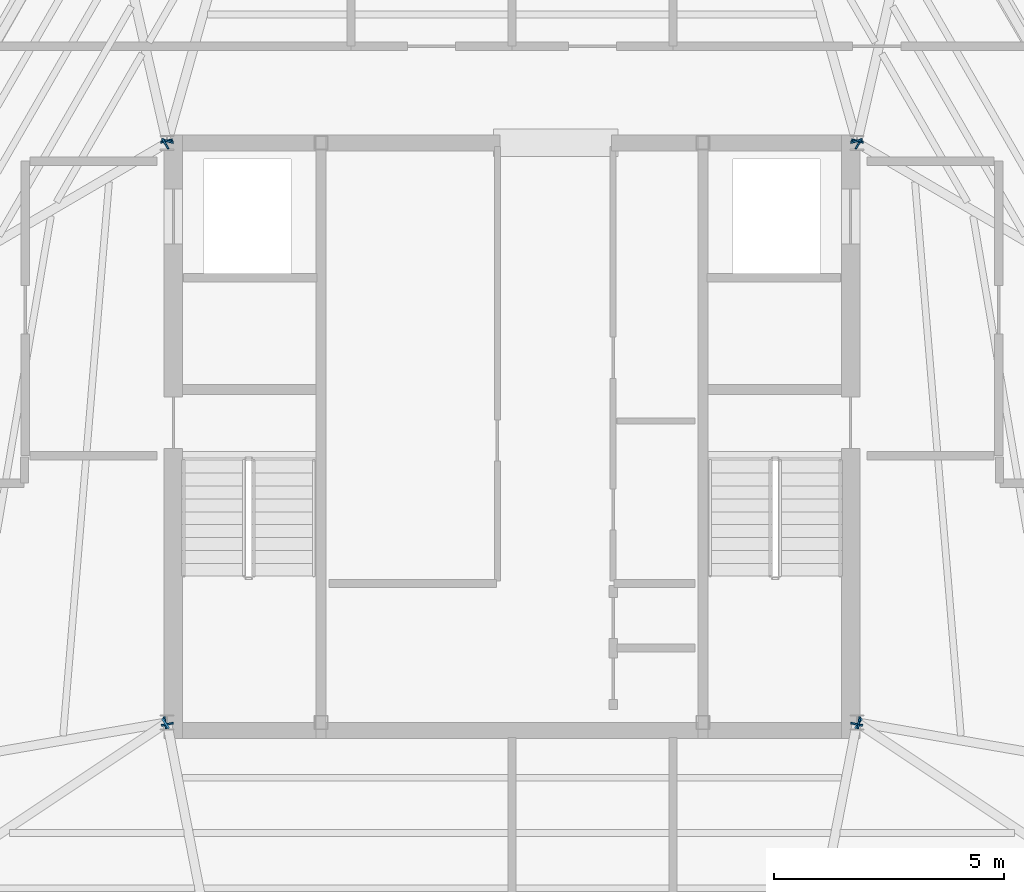
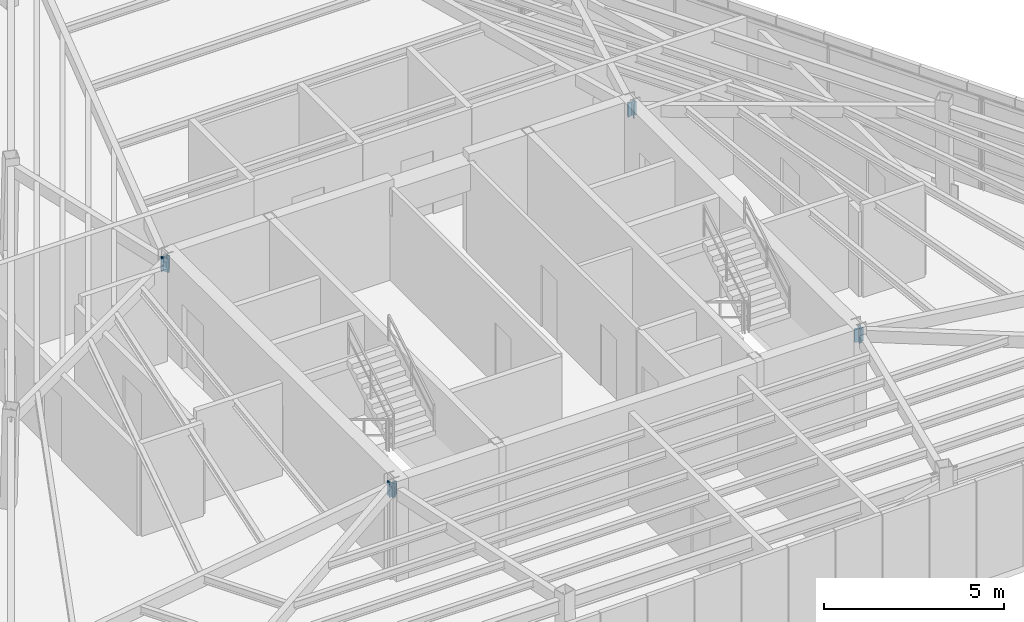
# One storey, part 39 of 44: 12 plates.
"""IFC4 building model written with IfcOpenShell, lengths in metres."""

from ifc_helpers import new_model, si_unit, direction, frame, origin, origin_2d, place, context, subcontext, project, spatial, rectangle, extrude, source, transform, mapped, material, layer, layer_set, type_object, type_shapes, element, save


model = new_model("IFC4")

# Units and contexts
model_context = context("Model", 3, precision=1e-05, world=origin(), true_north=direction((0.0, 1.0)))
body_context = subcontext(model_context, "Body", "Model", "MODEL_VIEW")
ifc_project = project(units=[si_unit("LENGTHUNIT", "METRE"), si_unit("AREAUNIT", "SQUARE_METRE"), si_unit("VOLUMEUNIT", "CUBIC_METRE"), si_unit("PLANEANGLEUNIT", "RADIAN"), si_unit("MASSUNIT", "GRAM", prefix="KILO")], contexts=[model_context])

# Site, building, storey
site_placement = place(None, origin())
site = spatial("IfcSite", under=ifc_project, at=site_placement, CompositionType="ELEMENT")
building_placement = place(site_placement, origin())
building = spatial("IfcBuilding", under=site, at=building_placement, Name="Caelisora Broadcast Tower", CompositionType="ELEMENT")
storey_placement = place(building_placement, frame((0.0, 0.0, 296.60009765625)))
storey = spatial("IfcBuildingStorey", under=building, at=storey_placement, Name="L78", CompositionType="ELEMENT", Elevation=296.60009765625)

# Plates
ifc_material = material(Name="Steel Grade 350 L15 (AS/NZS 3678)", Category="steel")
ifc_layer = layer(ifc_material, 0.0400390625, Name="Steel Grade 350 L15 (AS/NZS 3678)")
ifc_layer_set = layer_set([ifc_layer], Name="Steel Grade 350 L15 (AS/NZS 3678)")
plate_type = type_object("IfcPlateType", Name="GP04", PredefinedType="USERDEFINED", material=ifc_layer_set)
shared_shape = source(origin(), body_context, "Body", "SweptSolid", [
    extrude(rectangle(XDim=0.260009765625, YDim=0.0400390625, at=origin_2d()), origin(), (0.0, 0.0, 1.0), 0.4599609375),
])
type_shapes(plate_type, [shared_shape])
for number, where, z_axis, x_axis, name in (
    (1, (45.4892578125, 30.03857421875, 2.719970703125), (0.0, 0.0, 1.0), (-0.962880426559, -0.26992829446, 0.0), "L78 gusset plate GP04 (ND-RAD-L78-01)"),
    (2, (30.5107421875, 30.03857421875, 2.719970703125), (0.0, 0.0, 1.0), (-0.962880426559, 0.26992829446, 0.0), "L78 gusset plate GP04 (ND-RAD-L78-02)"),
    (3, (30.4912109375, 30.0390625, 2.719970703125), (0.0, 0.0, 1.0), (-0.975149354306, -0.221548497619, 0.0), "L78 gusset plate GP04 (ND-RAD-L78-03)"),
    (4, (30.465576171875, 29.979736328125, 2.719970703125), (0.0, 0.0, 1.0), (0.504075481823, -0.863659602288, 0.0), "L78 gusset plate GP04 (ND-RAD-L78-04)"),
    (5, (30.460693359375, 17.393310546875, 2.719970703125), (0.0, 0.0, 1.0), (0.170037510451, -0.985437590637, 0.0), "L78 gusset plate GP04 (ND-RAD-L78-05)"),
    (6, (30.466796875, 17.377685546875, 2.719970703125), (0.0, 0.0, 1.0), (0.554844427448, -0.83195412213, 0.0), "L78 gusset plate GP04 (ND-RAD-L78-06)"),
    (7, (30.507568359375, 17.360595703125, 2.719970703125), (0.0, 0.0, 1.0), (0.981660470949, 0.190637666207, 0.0), "L78 gusset plate GP04 (ND-RAD-L78-07)"),
    (8, (45.492431640625, 17.360595703125, 2.719970703125), (0.0, 0.0, 1.0), (0.981660470949, -0.190637666207, 0.0), "L78 gusset plate GP04 (ND-RAD-L78-08)"),
    (9, (45.533203125, 17.377685546875, 2.719970703125), (0.0, 0.0, 1.0), (0.554844427448, 0.83195412213, 0.0), "L78 gusset plate GP04 (ND-RAD-L78-09)"),
    (10, (45.539306640625, 17.393310546875, 2.719970703125), (0.0, 0.0, 1.0), (0.170037510451, 0.985437590637, 0.0), "L78 gusset plate GP04 (ND-RAD-L78-10)"),
    (11, (45.534423828125, 29.979736328125, 2.719970703125), (0.0, 0.0, 1.0), (0.504075481823, 0.863659602288, 0.0), "L78 gusset plate GP04 (ND-RAD-L78-11)"),
    (12, (45.5087890625, 30.0390625, 2.719970703125), (0.0, 0.0, 1.0), (-0.975149354306, 0.221548497619, 0.0), "L78 gusset plate GP04 (ND-RAD-L78-12)"),
):
    element("IfcPlate", number, at=place(storey_placement, frame(where, z_axis=z_axis, x_axis=x_axis)), inside=storey, type_object=plate_type, Name=name, ObjectType="GUSSET PLATE", PredefinedType="USERDEFINED", context=body_context, shape_type="MappedRepresentation", body=[
        mapped(shared_shape, transform((0.0, 0.0, 0.0), scale=1.0)),
    ])

save(model, "model.ifc")
